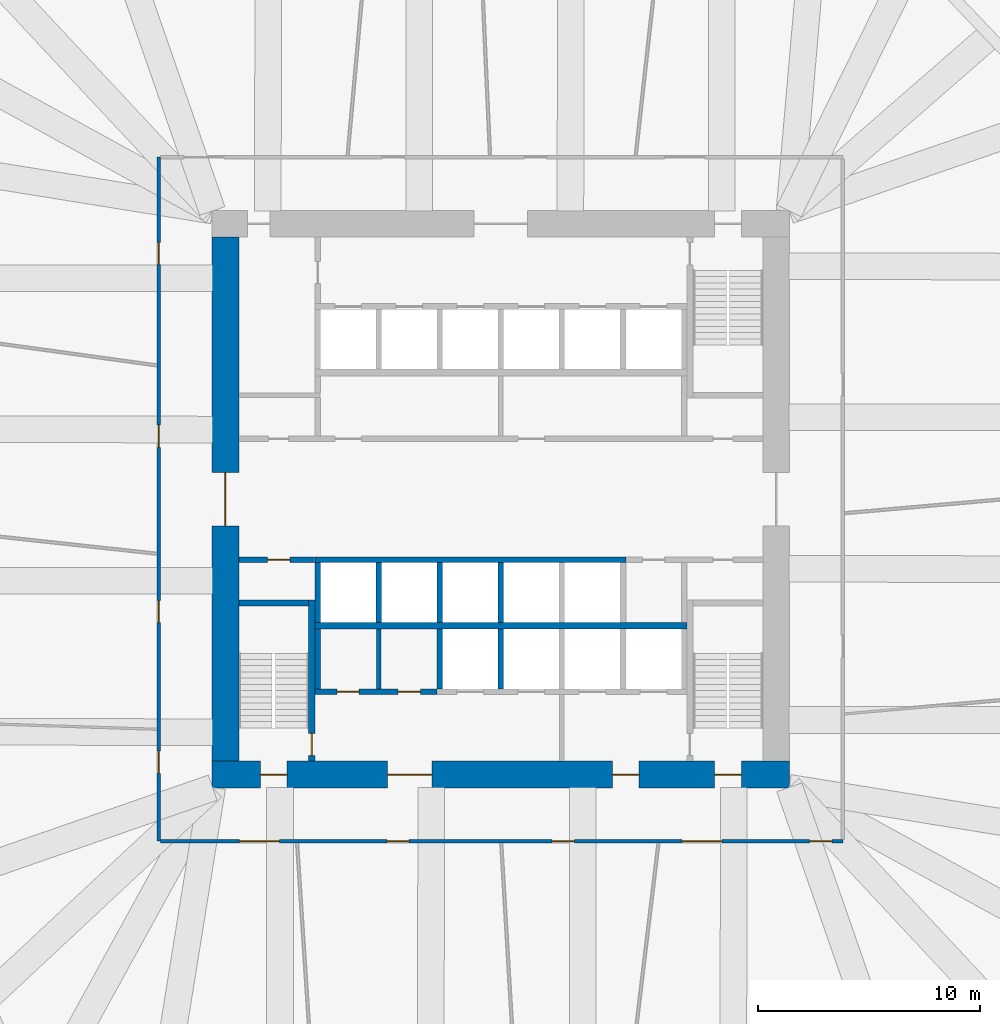
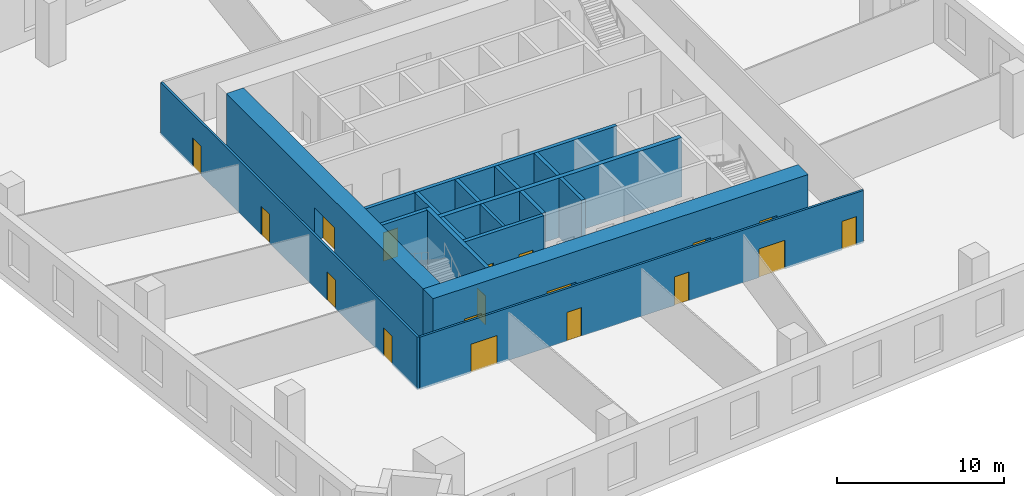
# One storey, part 4 of 10: 18 doors, 18 walls, 18 openings.
"""IFC4 building model written with IfcOpenShell, lengths in metres."""

from ifc_helpers import new_model, si_unit, direction, frame, frame_2d, origin, place, context, subcontext, project, spatial, rectangle, extrude, material, layer, layer_set, type_object, element, fill, save


model = new_model("IFC4")

# Units and contexts
model_context = context("Model", 3, precision=1e-05, world=origin(), true_north=direction((0.0, 1.0)))
body_context = subcontext(model_context, "Body", "Model", "MODEL_VIEW")
ifc_project = project(units=[si_unit("LENGTHUNIT", "METRE"), si_unit("AREAUNIT", "SQUARE_METRE"), si_unit("VOLUMEUNIT", "CUBIC_METRE"), si_unit("PLANEANGLEUNIT", "RADIAN"), si_unit("MASSUNIT", "GRAM", prefix="KILO")], contexts=[model_context])

# Site, building, storey
site_placement = place(None, origin())
site = spatial("IfcSite", under=ifc_project, at=site_placement, CompositionType="ELEMENT")
building_placement = place(site_placement, origin())
building = spatial("IfcBuilding", under=site, at=building_placement, Name="Dilmun Exchange Tower", CompositionType="ELEMENT")
storey_placement = place(building_placement, frame((0.0, 0.0, 36.89990234375)))
storey = spatial("IfcBuildingStorey", under=building, at=storey_placement, Name="L08", CompositionType="ELEMENT", Elevation=36.89990234375)

# Wall
ifc_material_1 = material(Name="Concrete C40/50", Category="concrete")
ifc_layer_1 = layer(ifc_material_1, 0.199951171875)
ifc_layer_set_1 = layer_set([ifc_layer_1], Name="Concrete C40/50")
wall_type_1 = type_object("IfcWallType", Name="Core partition wall 200", PredefinedType="PARTITIONING", material=ifc_layer_set_1)
wall_1_placement = place(storey_placement, frame((-5.5, -8.544921875, 0.0), z_axis=(0.0, 0.0, 1.0), x_axis=(0.0, 1.0, 0.0)))
element("IfcWall", 1, at=wall_1_placement, inside=storey, type_object=wall_type_1, Name="L08 core partition wall 04", PredefinedType="PARTITIONING", context=body_context, shape_type="SweptSolid", body=[
    extrude(rectangle(XDim=2.68994140625, YDim=0.199951171875, at=frame_2d((1.344970703125, 0.0))), origin(), (0.0, 0.0, 1.0), 4.35009765625),
])

# Wall, openings, doors
ifc_layer_2 = layer(ifc_material_1, 0.25)
ifc_layer_set_2 = layer_set([ifc_layer_2], Name="Concrete C40/50")
wall_type_2 = type_object("IfcWallType", Name="Core partition wall 250", PredefinedType="PARTITIONING", material=ifc_layer_set_2)
wall_2_placement = place(storey_placement, frame((-8.3701171875, -8.675048828125, 0.0), z_axis=(0.0, 0.0, 1.0), x_axis=(1.0, 0.0, 0.0)))
wall_2 = element("IfcWall", 2, at=wall_2_placement, inside=storey, type_object=wall_type_2, Name="L08 core partition wall 02", PredefinedType="PARTITIONING", context=body_context, shape_type="SweptSolid", body=[
    extrude(rectangle(XDim=5.490234375, YDim=0.25, at=frame_2d((2.7451171875, 0.0))), origin(), (0.0, 0.0, 1.0), 4.35009765625),
])
opening_1_placement = place(wall_2_placement, frame((0.9951171875, 0.0, 0.0)))
opening_1 = element("IfcOpeningElement", 3, at=opening_1_placement, cuts=wall_2, Name="Opening CD4", PredefinedType="OPENING", context=body_context, shape_type="SweptSolid", body=[
    extrude(rectangle(XDim=1.0, YDim=2.10009765625, at=frame_2d((0.5, 1.050048828125))), frame((0.0, 0.135009765625, 0.0), z_axis=(0.0, -1.0, 0.0), x_axis=(1.0, 0.0, 0.0)), (0.0, 0.0, 1.0), 0.27001953125),
])
opening_2_placement = place(wall_2_placement, frame((3.7451171875, 0.0, 0.0)))
opening_2 = element("IfcOpeningElement", 4, at=opening_2_placement, cuts=wall_2, Name="Opening CD4", PredefinedType="OPENING", context=body_context, shape_type="SweptSolid", body=[
    extrude(rectangle(XDim=1.0, YDim=2.10009765625, at=frame_2d((0.5, 1.050048828125))), frame((0.0, 0.135009765625, 0.0), z_axis=(0.0, -1.0, 0.0), x_axis=(1.0, 0.0, 0.0)), (0.0, 0.0, 1.0), 0.27001953125),
])
ifc_material_2 = material(Name="Fire-rated steel door set", Category="steel")
door_type_1 = type_object("IfcDoorType", Name="Core room door 1000x2100", OperationType="SINGLE_SWING_LEFT", PredefinedType="DOOR", material=ifc_material_2)
door_1_placement = place(opening_1_placement, origin())
door_1 = element("IfcDoor", 5, at=door_1_placement, inside=storey, type_object=door_type_1, Name="L08 door Male WC", OperationType="SINGLE_SWING_LEFT", OverallHeight=2.10009765625, OverallWidth=1.0, PredefinedType="DOOR", context=body_context, shape_type="SweptSolid", body=[
    extrude(rectangle(XDim=1.0, YDim=2.10009765625, at=frame_2d((0.5, 1.050048828125))), frame((0.0, 0.02490234375, 0.0), z_axis=(0.0, -1.0, 0.0), x_axis=(1.0, 0.0, 0.0)), (0.0, 0.0, 1.0), 0.050048828125),
])
fill(opening_1, door_1)
door_2_placement = place(opening_2_placement, origin())
door_2 = element("IfcDoor", 6, at=door_2_placement, inside=storey, type_object=door_type_1, Name="L08 door Female WC", OperationType="SINGLE_SWING_LEFT", OverallHeight=2.10009765625, OverallWidth=1.0, PredefinedType="DOOR", context=body_context, shape_type="SweptSolid", body=[
    extrude(rectangle(XDim=1.0, YDim=2.10009765625, at=frame_2d((0.5, 1.050048828125))), frame((0.0, 0.02490234375, 0.0), z_axis=(0.0, -1.0, 0.0), x_axis=(1.0, 0.0, 0.0)), (0.0, 0.0, 1.0), 0.050048828125),
])
fill(opening_2, door_2)

# Wall
wall_3_placement = place(storey_placement, frame((-8.25, -8.544921875, 0.0), z_axis=(0.0, 0.0, 1.0), x_axis=(0.0, 1.0, 0.0)))
element("IfcWall", 7, at=wall_3_placement, inside=storey, type_object=wall_type_2, Name="L08 core partition wall 03", PredefinedType="PARTITIONING", context=body_context, shape_type="SweptSolid", body=[
    extrude(rectangle(XDim=2.68994140625, YDim=0.25, at=frame_2d((1.344970703125, 0.0))), origin(), (0.0, 0.0, 1.0), 4.35009765625),
])

# Wall, opening, door
wall_4_placement = place(storey_placement, frame((-11.794921875, -2.72509765625, 0.0), z_axis=(0.0, 0.0, 1.0), x_axis=(1.0, 0.0, 0.0)))
wall_4 = element("IfcWall", 8, at=wall_4_placement, inside=storey, type_object=wall_type_2, Name="L08 core partition wall 06", PredefinedType="PARTITIONING", context=body_context, shape_type="SweptSolid", body=[
    extrude(rectangle(XDim=3.4150390625, YDim=0.25, at=frame_2d((1.70751953125, 0.0))), origin(), (0.0, 0.0, 1.0), 4.35009765625),
])
opening_3_placement = place(wall_4_placement, frame((1.294921875, 0.0, 0.0)))
opening_3 = element("IfcOpeningElement", 9, at=opening_3_placement, cuts=wall_4, Name="Opening CD4", PredefinedType="OPENING", context=body_context, shape_type="SweptSolid", body=[
    extrude(rectangle(XDim=1.0, YDim=2.10009765625, at=frame_2d((0.5, 1.050048828125))), frame((0.0, 0.135009765625, 0.0), z_axis=(0.0, -1.0, 0.0), x_axis=(1.0, 0.0, 0.0)), (0.0, 0.0, 1.0), 0.27001953125),
])
door_3_placement = place(opening_3_placement, origin())
door_3 = element("IfcDoor", 10, at=door_3_placement, inside=storey, type_object=door_type_1, Name="L08 door Accessible WC", OperationType="SINGLE_SWING_LEFT", OverallHeight=2.10009765625, OverallWidth=1.0, PredefinedType="DOOR", context=body_context, shape_type="SweptSolid", body=[
    extrude(rectangle(XDim=1.0, YDim=2.10009765625, at=frame_2d((0.5, 1.050048828125))), frame((0.0, 0.02490234375, 0.0), z_axis=(0.0, -1.0, 0.0), x_axis=(1.0, 0.0, 0.0)), (0.0, 0.0, 1.0), 0.050048828125),
])
fill(opening_3, door_3)

# Wall, openings, doors
ifc_material_3 = material(Name="Concrete C80/95", Category="concrete")
ifc_layer_3 = layer(ifc_material_3, 1.199951171875)
ifc_layer_set_3 = layer_set([ifc_layer_3], Name="Concrete C80/95")
wall_type_3 = type_object("IfcWallType", Name="Core shear wall 1200 Concrete C80/95", PredefinedType="SHEAR", material=ifc_layer_set_3)
wall_5_placement = place(storey_placement, frame((-13.0, -12.39990234375, 0.0), z_axis=(0.0, 0.0, 1.0), x_axis=(1.0, 0.0, 0.0)))
wall_5 = element("IfcWall", 11, at=wall_5_placement, inside=storey, type_object=wall_type_3, Name="L08 core shear wall S", PredefinedType="SHEAR", context=body_context, shape_type="SweptSolid", body=[
    extrude(rectangle(XDim=26.0, YDim=1.199951171875, at=frame_2d((13.0, 0.0))), origin(), (0.0, 0.0, 1.0), 4.35009765625),
])
opening_4_placement = place(wall_5_placement, frame((7.89990234375, 0.0, 0.0)))
opening_4 = element("IfcOpeningElement", 12, at=opening_4_placement, cuts=wall_5, Name="Opening CD2", PredefinedType="OPENING", context=body_context, shape_type="SweptSolid", body=[
    extrude(rectangle(XDim=2.0, YDim=2.10009765625, at=frame_2d((1.0, 1.050048828125))), frame((0.0, 0.60986328125, 0.0), z_axis=(0.0, -1.0, 0.0), x_axis=(1.0, 0.0, 0.0)), (0.0, 0.0, 1.0), 1.219970703125),
])
opening_5_placement = place(wall_5_placement, frame((18.02490234375, 0.0, 0.0)))
opening_5 = element("IfcOpeningElement", 13, at=opening_5_placement, cuts=wall_5, Name="Opening CD3", PredefinedType="OPENING", context=body_context, shape_type="SweptSolid", body=[
    extrude(rectangle(XDim=1.199951171875, YDim=2.10009765625, at=frame_2d((0.60009765625, 1.050048828125))), frame((0.0, 0.60986328125, 0.0), z_axis=(0.0, -1.0, 0.0), x_axis=(1.0, 0.0, 0.0)), (0.0, 0.0, 1.0), 1.219970703125),
])
opening_6_placement = place(wall_5_placement, frame((2.175048828125, 0.0, 0.0)))
opening_6 = element("IfcOpeningElement", 14, at=opening_6_placement, cuts=wall_5, Name="Opening CD3", PredefinedType="OPENING", context=body_context, shape_type="SweptSolid", body=[
    extrude(rectangle(XDim=1.199951171875, YDim=2.10009765625, at=frame_2d((0.60009765625, 1.050048828125))), frame((0.0, 0.60986328125, 0.0), z_axis=(0.0, -1.0, 0.0), x_axis=(1.0, 0.0, 0.0)), (0.0, 0.0, 1.0), 1.219970703125),
])
opening_7_placement = place(wall_5_placement, frame((22.625, 0.0, 0.0)))
opening_7 = element("IfcOpeningElement", 15, at=opening_7_placement, cuts=wall_5, Name="Opening CD3", PredefinedType="OPENING", context=body_context, shape_type="SweptSolid", body=[
    extrude(rectangle(XDim=1.199951171875, YDim=2.10009765625, at=frame_2d((0.60009765625, 1.050048828125))), frame((0.0, 0.60986328125, 0.0), z_axis=(0.0, -1.0, 0.0), x_axis=(1.0, 0.0, 0.0)), (0.0, 0.0, 1.0), 1.219970703125),
])
door_type_2 = type_object("IfcDoorType", Name="Core service door 2000x2100", OperationType="DOUBLE_DOOR_DOUBLE_SWING", PredefinedType="DOOR", material=ifc_material_2)
door_4_placement = place(opening_4_placement, origin())
door_4 = element("IfcDoor", 16, at=door_4_placement, inside=storey, type_object=door_type_2, Name="L08 door South service lobby", OperationType="SINGLE_SWING_LEFT", OverallHeight=2.10009765625, OverallWidth=2.0, PredefinedType="DOOR", context=body_context, shape_type="SweptSolid", body=[
    extrude(rectangle(XDim=2.0, YDim=2.10009765625, at=frame_2d((1.0, 1.050048828125))), frame((0.0, 0.02490234375, 0.0), z_axis=(0.0, -1.0, 0.0), x_axis=(1.0, 0.0, 0.0)), (0.0, 0.0, 1.0), 0.050048828125),
])
fill(opening_4, door_4)
door_type_3 = type_object("IfcDoorType", Name="Stair exit door 1200x2100", OperationType="SINGLE_SWING_LEFT", PredefinedType="DOOR", material=ifc_material_2)
door_5_placement = place(opening_5_placement, origin())
door_5 = element("IfcDoor", 17, at=door_5_placement, inside=storey, type_object=door_type_3, Name="L08 door Fire-fighting lobby", OperationType="SINGLE_SWING_LEFT", OverallHeight=2.10009765625, OverallWidth=1.199951171875, PredefinedType="DOOR", context=body_context, shape_type="SweptSolid", body=[
    extrude(rectangle(XDim=1.199951171875, YDim=2.10009765625, at=frame_2d((0.60009765625, 1.050048828125))), frame((0.0, 0.02490234375, 0.0), z_axis=(0.0, -1.0, 0.0), x_axis=(1.0, 0.0, 0.0)), (0.0, 0.0, 1.0), 0.050048828125),
])
fill(opening_5, door_5)
door_6_placement = place(opening_6_placement, origin())
door_6 = element("IfcDoor", 18, at=door_6_placement, inside=storey, type_object=door_type_3, Name="L08 door Stair ST2", OperationType="SINGLE_SWING_LEFT", OverallHeight=2.10009765625, OverallWidth=1.199951171875, PredefinedType="DOOR", context=body_context, shape_type="SweptSolid", body=[
    extrude(rectangle(XDim=1.199951171875, YDim=2.10009765625, at=frame_2d((0.60009765625, 1.050048828125))), frame((0.0, 0.02490234375, 0.0), z_axis=(0.0, -1.0, 0.0), x_axis=(1.0, 0.0, 0.0)), (0.0, 0.0, 1.0), 0.050048828125),
])
fill(opening_6, door_6)
door_7_placement = place(opening_7_placement, origin())
door_7 = element("IfcDoor", 19, at=door_7_placement, inside=storey, type_object=door_type_3, Name="L08 door Stair ST3", OperationType="SINGLE_SWING_LEFT", OverallHeight=2.10009765625, OverallWidth=1.199951171875, PredefinedType="DOOR", context=body_context, shape_type="SweptSolid", body=[
    extrude(rectangle(XDim=1.199951171875, YDim=2.10009765625, at=frame_2d((0.60009765625, 1.050048828125))), frame((0.0, 0.02490234375, 0.0), z_axis=(0.0, -1.0, 0.0), x_axis=(1.0, 0.0, 0.0)), (0.0, 0.0, 1.0), 0.050048828125),
])
fill(opening_7, door_7)

# Wall, opening, door
wall_6_placement = place(storey_placement, frame((-12.39990234375, -11.800048828125, 0.0), z_axis=(0.0, 0.0, 1.0), x_axis=(0.0, 1.0, 0.0)))
wall_6 = element("IfcWall", 20, at=wall_6_placement, inside=storey, type_object=wall_type_3, Name="L08 core shear wall W", PredefinedType="SHEAR", context=body_context, shape_type="SweptSolid", body=[
    extrude(rectangle(XDim=23.60009765625, YDim=1.199951171875, at=frame_2d((11.800048828125, 0.0))), origin(), (0.0, 0.0, 1.0), 4.35009765625),
])
opening_8_placement = place(wall_6_placement, frame((10.60009765625, 0.0, 0.0)))
opening_8 = element("IfcOpeningElement", 21, at=opening_8_placement, cuts=wall_6, Name="Opening CD1", PredefinedType="OPENING", context=body_context, shape_type="SweptSolid", body=[
    extrude(rectangle(XDim=2.39990234375, YDim=2.39990234375, at=frame_2d((1.199951171875, 1.199951171875))), frame((0.0, 0.60986328125, 0.0), z_axis=(0.0, -1.0, 0.0), x_axis=(1.0, 0.0, 0.0)), (0.0, 0.0, 1.0), 1.219970703125),
])
door_type_4 = type_object("IfcDoorType", Name="Core lobby door 2400x2400", OperationType="DOUBLE_DOOR_DOUBLE_SWING", PredefinedType="DOOR", material=ifc_material_2)
door_8_placement = place(opening_8_placement, origin())
door_8 = element("IfcDoor", 22, at=door_8_placement, inside=storey, type_object=door_type_4, Name="L08 door Central lift lobby", OperationType="SINGLE_SWING_LEFT", OverallHeight=2.39990234375, OverallWidth=2.39990234375, PredefinedType="DOOR", context=body_context, shape_type="SweptSolid", body=[
    extrude(rectangle(XDim=2.39990234375, YDim=2.39990234375, at=frame_2d((1.199951171875, 1.199951171875))), frame((0.0, 0.02490234375, 0.0), z_axis=(0.0, -1.0, 0.0), x_axis=(1.0, 0.0, 0.0)), (0.0, 0.0, 1.0), 0.050048828125),
])
fill(opening_8, door_8)

# Wall, openings, doors
ifc_material_4 = material(Name="Corridor wall 150")
ifc_layer_4 = layer(ifc_material_4, 0.14990234375)
ifc_layer_set_4 = layer_set([ifc_layer_4], Name="Corridor wall 150")
wall_type_4 = type_object("IfcWallType", Name="Corridor wall 150", PredefinedType="PARTITIONING", material=ifc_layer_set_4)
wall_7_placement = place(storey_placement, frame((-15.39990234375, -15.39990234375, 0.0), z_axis=(0.0, 0.0, 1.0), x_axis=(0.0, 1.0, 0.0)))
wall_7 = element("IfcWall", 23, at=wall_7_placement, inside=storey, type_object=wall_type_4, Name="Corridor wall", PredefinedType="PARTITIONING", context=body_context, shape_type="SweptSolid", body=[
    extrude(rectangle(XDim=30.7998046875, YDim=0.14990234375, at=frame_2d((15.39990234375, 0.0))), origin(), (0.0, 0.0, 1.0), 3.85009765625),
])
opening_9_placement = place(wall_7_placement, frame((17.7353515625, 0.0, 0.0)))
opening_9 = element("IfcOpeningElement", 24, at=opening_9_placement, cuts=wall_7, Name="Opening TF08-D01", PredefinedType="OPENING", context=body_context, shape_type="SweptSolid", body=[
    extrude(rectangle(XDim=1.0, YDim=2.10009765625, at=frame_2d((0.5, 1.050048828125))), frame((0.0, 0.0849609375, 0.0), z_axis=(0.0, -1.0, 0.0), x_axis=(1.0, 0.0, 0.0)), (0.0, 0.0, 1.0), 0.169921875),
])
opening_10_placement = place(wall_7_placement, frame((9.8359375, 0.0, 0.0)))
opening_10 = element("IfcOpeningElement", 25, at=opening_10_placement, cuts=wall_7, Name="Opening TF08-D02", PredefinedType="OPENING", context=body_context, shape_type="SweptSolid", body=[
    extrude(rectangle(XDim=1.0, YDim=2.10009765625, at=frame_2d((0.5, 1.050048828125))), frame((0.0, 0.0849609375, 0.0), z_axis=(0.0, -1.0, 0.0), x_axis=(1.0, 0.0, 0.0)), (0.0, 0.0, 1.0), 0.169921875),
])
opening_11_placement = place(wall_7_placement, frame((25.960205078125, 0.0, 0.0)))
opening_11 = element("IfcOpeningElement", 26, at=opening_11_placement, cuts=wall_7, Name="Opening TF08-D04", PredefinedType="OPENING", context=body_context, shape_type="SweptSolid", body=[
    extrude(rectangle(XDim=1.0, YDim=2.10009765625, at=frame_2d((0.5, 1.050048828125))), frame((0.0, 0.0849609375, 0.0), z_axis=(0.0, -1.0, 0.0), x_axis=(1.0, 0.0, 0.0)), (0.0, 0.0, 1.0), 0.169921875),
])
opening_12_placement = place(wall_7_placement, frame((3.050048828125, 0.0, 0.0)))
opening_12 = element("IfcOpeningElement", 27, at=opening_12_placement, cuts=wall_7, Name="Opening TF08-D06", PredefinedType="OPENING", context=body_context, shape_type="SweptSolid", body=[
    extrude(rectangle(XDim=1.0, YDim=2.10009765625, at=frame_2d((0.5, 1.050048828125))), frame((0.0, 0.0849609375, 0.0), z_axis=(0.0, -1.0, 0.0), x_axis=(1.0, 0.0, 0.0)), (0.0, 0.0, 1.0), 0.169921875),
])
ifc_material_5 = material(Name="Fire door 1000 x 2100")
door_type_5 = type_object("IfcDoorType", Name="Fire door 1000 x 2100", OperationType="NOTDEFINED", PredefinedType="DOOR", material=ifc_material_5)
door_9_placement = place(opening_9_placement, origin())
door_9 = element("IfcDoor", 28, at=door_9_placement, inside=storey, type_object=door_type_5, Name="Door TF08-D01", OperationType="SINGLE_SWING_LEFT", OverallHeight=2.10009765625, OverallWidth=1.0, PredefinedType="DOOR", context=body_context, shape_type="SweptSolid", body=[
    extrude(rectangle(XDim=1.0, YDim=2.10009765625, at=frame_2d((0.5, 1.050048828125))), frame((0.0, 0.02490234375, 0.0), z_axis=(0.0, -1.0, 0.0), x_axis=(1.0, 0.0, 0.0)), (0.0, 0.0, 1.0), 0.050048828125),
])
fill(opening_9, door_9)
door_10_placement = place(opening_10_placement, origin())
door_10 = element("IfcDoor", 29, at=door_10_placement, inside=storey, type_object=door_type_5, Name="Door TF08-D02", OperationType="SINGLE_SWING_RIGHT", OverallHeight=2.10009765625, OverallWidth=1.0, PredefinedType="DOOR", context=body_context, shape_type="SweptSolid", body=[
    extrude(rectangle(XDim=1.0, YDim=2.10009765625, at=frame_2d((0.5, 1.050048828125))), frame((0.0, 0.02490234375, 0.0), z_axis=(0.0, -1.0, 0.0), x_axis=(1.0, 0.0, 0.0)), (0.0, 0.0, 1.0), 0.050048828125),
])
fill(opening_10, door_10)
door_11_placement = place(opening_11_placement, origin())
door_11 = element("IfcDoor", 30, at=door_11_placement, inside=storey, type_object=door_type_5, Name="Door TF08-D04", OperationType="SINGLE_SWING_LEFT", OverallHeight=2.10009765625, OverallWidth=1.0, PredefinedType="DOOR", context=body_context, shape_type="SweptSolid", body=[
    extrude(rectangle(XDim=1.0, YDim=2.10009765625, at=frame_2d((0.5, 1.050048828125))), frame((0.0, 0.02490234375, 0.0), z_axis=(0.0, -1.0, 0.0), x_axis=(1.0, 0.0, 0.0)), (0.0, 0.0, 1.0), 0.050048828125),
])
fill(opening_11, door_11)
door_12_placement = place(opening_12_placement, origin())
door_12 = element("IfcDoor", 31, at=door_12_placement, inside=storey, type_object=door_type_5, Name="Door TF08-D06", OperationType="SINGLE_SWING_LEFT", OverallHeight=2.10009765625, OverallWidth=1.0, PredefinedType="DOOR", context=body_context, shape_type="SweptSolid", body=[
    extrude(rectangle(XDim=1.0, YDim=2.10009765625, at=frame_2d((0.5, 1.050048828125))), frame((0.0, 0.02490234375, 0.0), z_axis=(0.0, -1.0, 0.0), x_axis=(1.0, 0.0, 0.0)), (0.0, 0.0, 1.0), 0.050048828125),
])
fill(opening_12, door_12)

wall_8_placement = place(storey_placement, frame((-15.324951171875, -15.39990234375, 0.0), z_axis=(0.0, 0.0, 1.0), x_axis=(1.0, 0.0, 0.0)))
wall_8 = element("IfcWall", 32, at=wall_8_placement, inside=storey, type_object=wall_type_4, Name="Corridor wall", PredefinedType="PARTITIONING", context=body_context, shape_type="SweptSolid", body=[
    extrude(rectangle(XDim=30.724853515625, YDim=0.14990234375, at=frame_2d((15.3623046875, 0.0))), origin(), (0.0, 0.0, 1.0), 3.85009765625),
])
opening_13_placement = place(wall_8_placement, frame((3.550048828125, 0.0, 0.0)))
opening_13 = element("IfcOpeningElement", 33, at=opening_13_placement, cuts=wall_8, Name="Opening TF08-D05", PredefinedType="OPENING", context=body_context, shape_type="SweptSolid", body=[
    extrude(rectangle(XDim=1.800048828125, YDim=2.10009765625, at=frame_2d((0.89990234375, 1.050048828125))), frame((0.0, 0.0849609375, 0.0), z_axis=(0.0, -1.0, 0.0), x_axis=(1.0, 0.0, 0.0)), (0.0, 0.0, 1.0), 0.169921875),
])
opening_14_placement = place(wall_8_placement, frame((10.196044921875, 0.0, 0.0)))
opening_14 = element("IfcOpeningElement", 34, at=opening_14_placement, cuts=wall_8, Name="Opening TF08-D07", PredefinedType="OPENING", context=body_context, shape_type="SweptSolid", body=[
    extrude(rectangle(XDim=1.0, YDim=2.10009765625, at=frame_2d((0.5, 1.050048828125))), frame((0.0, 0.0849609375, 0.0), z_axis=(0.0, -1.0, 0.0), x_axis=(1.0, 0.0, 0.0)), (0.0, 0.0, 1.0), 0.169921875),
])
opening_15_placement = place(wall_8_placement, frame((17.638427734375, 0.0, 0.0)))
opening_15 = element("IfcOpeningElement", 35, at=opening_15_placement, cuts=wall_8, Name="Opening TF08-D10", PredefinedType="OPENING", context=body_context, shape_type="SweptSolid", body=[
    extrude(rectangle(XDim=1.0, YDim=2.10009765625, at=frame_2d((0.5, 1.050048828125))), frame((0.0, 0.0849609375, 0.0), z_axis=(0.0, -1.0, 0.0), x_axis=(1.0, 0.0, 0.0)), (0.0, 0.0, 1.0), 0.169921875),
])
opening_16_placement = place(wall_8_placement, frame((23.4775390625, 0.0, 0.0)))
opening_16 = element("IfcOpeningElement", 36, at=opening_16_placement, cuts=wall_8, Name="Opening TF08-D13", PredefinedType="OPENING", context=body_context, shape_type="SweptSolid", body=[
    extrude(rectangle(XDim=1.800048828125, YDim=2.10009765625, at=frame_2d((0.89990234375, 1.050048828125))), frame((0.0, 0.0849609375, 0.0), z_axis=(0.0, -1.0, 0.0), x_axis=(1.0, 0.0, 0.0)), (0.0, 0.0, 1.0), 0.169921875),
])
opening_17_placement = place(wall_8_placement, frame((29.2275390625, 0.0, 0.0)))
opening_17 = element("IfcOpeningElement", 37, at=opening_17_placement, cuts=wall_8, Name="Opening TF08-D14", PredefinedType="OPENING", context=body_context, shape_type="SweptSolid", body=[
    extrude(rectangle(XDim=1.0, YDim=2.10009765625, at=frame_2d((0.5, 1.050048828125))), frame((0.0, 0.0849609375, 0.0), z_axis=(0.0, -1.0, 0.0), x_axis=(1.0, 0.0, 0.0)), (0.0, 0.0, 1.0), 0.169921875),
])
door_13_placement = place(opening_14_placement, frame((1.0, 0.0, 0.0), z_axis=(0.0, 0.0, 1.0), x_axis=(-1.0, 0.0, 0.0)))
door_13 = element("IfcDoor", 38, at=door_13_placement, inside=storey, type_object=door_type_5, Name="Door TF08-D07", OperationType="SINGLE_SWING_RIGHT", OverallHeight=2.10009765625, OverallWidth=1.0, PredefinedType="DOOR", context=body_context, shape_type="SweptSolid", body=[
    extrude(rectangle(XDim=1.0, YDim=2.10009765625, at=frame_2d((0.5, 1.050048828125))), frame((0.0, 0.02490234375, 0.0), z_axis=(0.0, -1.0, 0.0), x_axis=(1.0, 0.0, 0.0)), (0.0, 0.0, 1.0), 0.050048828125),
])
fill(opening_14, door_13)
door_14_placement = place(opening_15_placement, frame((1.0, 0.0, 0.0), z_axis=(0.0, 0.0, 1.0), x_axis=(-1.0, 0.0, 0.0)))
door_14 = element("IfcDoor", 39, at=door_14_placement, inside=storey, type_object=door_type_5, Name="Door TF08-D10", OperationType="SINGLE_SWING_RIGHT", OverallHeight=2.10009765625, OverallWidth=1.0, PredefinedType="DOOR", context=body_context, shape_type="SweptSolid", body=[
    extrude(rectangle(XDim=1.0, YDim=2.10009765625, at=frame_2d((0.5, 1.050048828125))), frame((0.0, 0.02490234375, 0.0), z_axis=(0.0, -1.0, 0.0), x_axis=(1.0, 0.0, 0.0)), (0.0, 0.0, 1.0), 0.050048828125),
])
fill(opening_15, door_14)
door_15_placement = place(opening_17_placement, frame((1.0, 0.0, 0.0), z_axis=(0.0, 0.0, 1.0), x_axis=(-1.0, 0.0, 0.0)))
door_15 = element("IfcDoor", 40, at=door_15_placement, inside=storey, type_object=door_type_5, Name="Door TF08-D14", OperationType="SINGLE_SWING_LEFT", OverallHeight=2.10009765625, OverallWidth=1.0, PredefinedType="DOOR", context=body_context, shape_type="SweptSolid", body=[
    extrude(rectangle(XDim=1.0, YDim=2.10009765625, at=frame_2d((0.5, 1.050048828125))), frame((0.0, 0.02490234375, 0.0), z_axis=(0.0, -1.0, 0.0), x_axis=(1.0, 0.0, 0.0)), (0.0, 0.0, 1.0), 0.050048828125),
])
fill(opening_17, door_15)
ifc_material_6 = material(Name="Fire door pair 1800 x 2100")
door_type_6 = type_object("IfcDoorType", Name="Fire door pair 1800 x 2100", OperationType="NOTDEFINED", PredefinedType="DOOR", material=ifc_material_6)
door_16_placement = place(opening_13_placement, frame((1.800048828125, 0.0, 0.0), z_axis=(0.0, 0.0, 1.0), x_axis=(-1.0, 0.0, 0.0)))
door_16 = element("IfcDoor", 41, at=door_16_placement, inside=storey, type_object=door_type_6, Name="Door TF08-D05", OperationType="DOUBLE_DOOR_SINGLE_SWING", OverallHeight=2.10009765625, OverallWidth=1.800048828125, PredefinedType="DOOR", context=body_context, shape_type="SweptSolid", body=[
    extrude(rectangle(XDim=1.800048828125, YDim=2.10009765625, at=frame_2d((0.89990234375, 1.050048828125))), frame((0.0, 0.02490234375, 0.0), z_axis=(0.0, -1.0, 0.0), x_axis=(1.0, 0.0, 0.0)), (0.0, 0.0, 1.0), 0.050048828125),
])
fill(opening_13, door_16)
door_17_placement = place(opening_16_placement, frame((1.800048828125, 0.0, 0.0), z_axis=(0.0, 0.0, 1.0), x_axis=(-1.0, 0.0, 0.0)))
door_17 = element("IfcDoor", 42, at=door_17_placement, inside=storey, type_object=door_type_6, Name="Door TF08-D13", OperationType="DOUBLE_DOOR_SINGLE_SWING", OverallHeight=2.10009765625, OverallWidth=1.800048828125, PredefinedType="DOOR", context=body_context, shape_type="SweptSolid", body=[
    extrude(rectangle(XDim=1.800048828125, YDim=2.10009765625, at=frame_2d((0.89990234375, 1.050048828125))), frame((0.0, 0.02490234375, 0.0), z_axis=(0.0, -1.0, 0.0), x_axis=(1.0, 0.0, 0.0)), (0.0, 0.0, 1.0), 0.050048828125),
])
fill(opening_16, door_17)

# Walls
ifc_layer_5 = layer(ifc_material_1, 0.300048828125)
ifc_layer_set_5 = layer_set([ifc_layer_5], Name="Concrete C40/50")
wall_type_5 = type_object("IfcWallType", Name="Lift shaft shared wall 300", PredefinedType="SOLIDWALL", material=ifc_layer_set_5)
wall_9_placement = place(storey_placement, frame((-8.375, -5.699951171875, 0.0), z_axis=(0.0, 0.0, 1.0), x_axis=(1.0, 0.0, 0.0)))
element("IfcWall", 43, at=wall_9_placement, inside=storey, type_object=wall_type_5, Name="L08 lift shaft rear wall S", PredefinedType="SOLIDWALL", context=body_context, shape_type="SweptSolid", body=[
    extrude(rectangle(XDim=16.75, YDim=0.300048828125, at=frame_2d((8.375, 0.0))), origin(), (0.0, 0.0, 1.0), 4.35009765625),
])
ifc_layer_6 = layer(ifc_material_1, 0.25)
ifc_layer_set_6 = layer_set([ifc_layer_6], Name="Concrete C40/50")
wall_type_6 = type_object("IfcWallType", Name="Lift shaft wall 250", PredefinedType="SOLIDWALL", material=ifc_layer_set_6)
wall_10_placement = place(storey_placement, frame((-8.375, -2.72509765625, 0.0), z_axis=(0.0, 0.0, 1.0), x_axis=(1.0, 0.0, 0.0)))
element("IfcWall", 44, at=wall_10_placement, inside=storey, type_object=wall_type_6, Name="L08 lift shaft front wall S1", PredefinedType="SOLIDWALL", context=body_context, shape_type="SweptSolid", body=[
    extrude(rectangle(XDim=14.0, YDim=0.25, at=frame_2d((7.0, 0.0))), origin(), (0.0, 0.0, 1.0), 4.35009765625),
])
for number, where, z_axis, x_axis, name in (
    (45, (-8.25, -5.550048828125, 0.0), (0.0, 0.0, 1.0), (0.0, 1.0, 0.0), "L08 lift shaft divider S10"),
    (46, (-5.5, -5.550048828125, 0.0), (0.0, 0.0, 1.0), (0.0, 1.0, 0.0), "L08 lift shaft divider S11"),
    (47, (-2.75, -5.550048828125, 0.0), (0.0, 0.0, 1.0), (0.0, 1.0, 0.0), "L08 lift shaft divider S12"),
    (48, (0.0, -5.550048828125, 0.0), (0.0, 0.0, 1.0), (0.0, 1.0, 0.0), "L08 lift shaft divider S13"),
    (49, (-2.75, -8.550048828125, 0.0), (0.0, 0.0, 1.0), (0.0, 1.0, 0.0), "L08 lift shaft divider S22"),
    (50, (0.0, -8.550048828125, 0.0), (0.0, 0.0, 1.0), (0.0, 1.0, 0.0), "L08 lift shaft divider S23"),
):
    element("IfcWall", number, at=place(storey_placement, frame(where, z_axis=z_axis, x_axis=x_axis)), inside=storey, type_object=wall_type_6, Name=name, PredefinedType="SOLIDWALL", context=body_context, shape_type="SweptSolid", body=[
        extrude(rectangle(XDim=2.699951171875, YDim=0.25, at=frame_2d((1.35009765625, 0.0))), origin(), (0.0, 0.0, 1.0), 4.35009765625),
    ])
ifc_layer_7 = layer(ifc_material_1, 0.25)
ifc_layer_set_7 = layer_set([ifc_layer_7], Name="Concrete C40/50")
wall_type_7 = type_object("IfcWallType", Name="Stair end wall 250", PredefinedType="SOLIDWALL", material=ifc_layer_set_7)
wall_11_placement = place(storey_placement, frame((-8.64990234375, -4.675048828125, 0.0), z_axis=(0.0, 0.0, 1.0), x_axis=(-1.0, 0.0, 0.0)))
element("IfcWall", 51, at=wall_11_placement, inside=storey, type_object=wall_type_7, Name="L08 ST2 far wall", PredefinedType="SOLIDWALL", context=body_context, shape_type="SweptSolid", body=[
    extrude(rectangle(XDim=3.150146484375, YDim=0.25, at=frame_2d((1.5751953125, 0.0))), origin(), (0.0, 0.0, 1.0), 4.35009765625),
])

# Wall, opening, door
ifc_layer_8 = layer(ifc_material_1, 0.27490234375)
ifc_layer_set_8 = layer_set([ifc_layer_8], Name="Concrete C40/50")
wall_type_8 = type_object("IfcWallType", Name="Stair wall 275", PredefinedType="SOLIDWALL", material=ifc_layer_set_8)
wall_12_placement = place(storey_placement, frame((-8.512451171875, -4.550048828125, 0.0), z_axis=(0.0, 0.0, 1.0), x_axis=(0.0, -1.0, 0.0)))
wall_12 = element("IfcWall", 52, at=wall_12_placement, inside=storey, type_object=wall_type_8, Name="L08 ST2 wall to lift block", PredefinedType="SOLIDWALL", context=body_context, shape_type="SweptSolid", body=[
    extrude(rectangle(XDim=7.25, YDim=0.27490234375, at=frame_2d((3.625, 0.0))), origin(), (0.0, 0.0, 1.0), 4.35009765625),
])
opening_18_placement = place(wall_12_placement, frame((6.0, 0.0, 0.0)))
opening_18 = element("IfcOpeningElement", 53, at=opening_18_placement, cuts=wall_12, Name="Opening CD4", PredefinedType="OPENING", context=body_context, shape_type="SweptSolid", body=[
    extrude(rectangle(XDim=1.0, YDim=2.10009765625, at=frame_2d((0.5, 1.050048828125))), frame((0.0, 0.1474609375, 0.0), z_axis=(0.0, -1.0, 0.0), x_axis=(1.0, 0.0, 0.0)), (0.0, 0.0, 1.0), 0.294921875),
])
door_18_placement = place(opening_18_placement, origin())
door_18 = element("IfcDoor", 54, at=door_18_placement, inside=storey, type_object=door_type_1, Name="L08 door ST2 from lobby", OperationType="SINGLE_SWING_LEFT", OverallHeight=2.10009765625, OverallWidth=1.0, PredefinedType="DOOR", context=body_context, shape_type="SweptSolid", body=[
    extrude(rectangle(XDim=1.0, YDim=2.10009765625, at=frame_2d((0.5, 1.050048828125))), frame((0.0, 0.02490234375, 0.0), z_axis=(0.0, -1.0, 0.0), x_axis=(1.0, 0.0, 0.0)), (0.0, 0.0, 1.0), 0.050048828125),
])
fill(opening_18, door_18)

save(model, "model.ifc")
